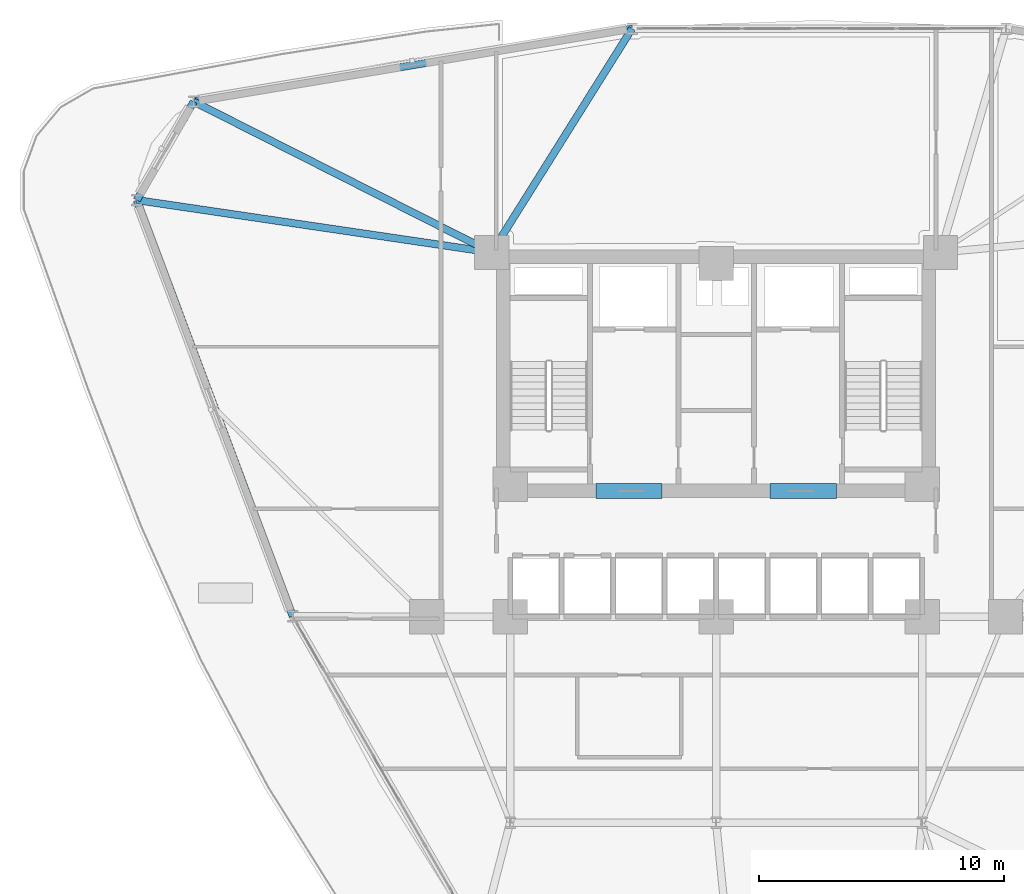
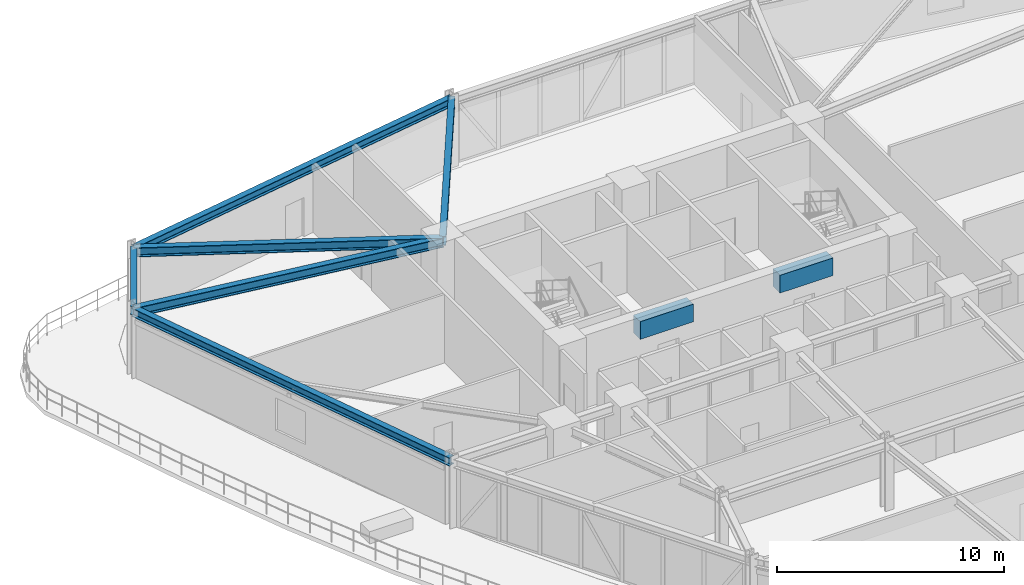
# One storey, part 9 of 21: 8 beams.
"""IFC4 building model written with IfcOpenShell, lengths in metres."""

from ifc_helpers import new_model, si_unit, derived_unit, direction, frame, origin, origin_2d, place, context, subcontext, project, spatial, rectangle, i_section, extrude, source, transform, mapped, material, material_profile, profile_set, type_object, element, save


model = new_model("IFC4")

# Units and contexts
model_context = context("Model", 3, precision=1e-05, world=origin(), true_north=direction((0.0, 1.0)))
body_context = subcontext(model_context, "Body", "Model", "MODEL_VIEW")
ifc_project = project(units=[si_unit("LENGTHUNIT", "METRE"), si_unit("AREAUNIT", "SQUARE_METRE"), si_unit("VOLUMEUNIT", "CUBIC_METRE"), si_unit("PLANEANGLEUNIT", "RADIAN"), si_unit("MASSUNIT", "GRAM", prefix="KILO"), derived_unit("THERMALTRANSMITTANCEUNIT", [(si_unit("POWERUNIT", "WATT"), 1), (si_unit("LENGTHUNIT", "METRE"), -2), (si_unit("THERMODYNAMICTEMPERATUREUNIT", "KELVIN"), -1)])], contexts=[model_context])

# Site, building, storey
site_placement = place(None, origin())
site = spatial("IfcSite", under=ifc_project, at=site_placement, CompositionType="ELEMENT")
building_placement = place(site_placement, origin())
building = spatial("IfcBuilding", under=site, at=building_placement, Name="Korsvarv Bourse and Concert Hall", CompositionType="ELEMENT")
storey_placement = place(building_placement, frame((0.0, 0.0, 63.89990234375)))
storey = spatial("IfcBuildingStorey", under=building, at=storey_placement, Name="L15", CompositionType="ELEMENT", Elevation=63.89990234375)

# Beams
ifc_material_1 = material(Name="Concrete C55/67", Category="concrete")
ifc_material_profile_1 = material_profile(ifc_material_1, rectangle(XDim=0.60009765625, YDim=0.949951171875, at=origin_2d()), Name="RC-BM 600x950")
ifc_profile_set_1 = profile_set([ifc_material_profile_1], Name="Concrete C55/67")
beam_type_1 = type_object("IfcBeamType", Name="BM-CPL", PredefinedType="LINTEL", material=ifc_profile_set_1)
shared_shape_1 = source(origin(), body_context, "Body", "SweptSolid", [
    extrude(rectangle(XDim=0.60009765625, YDim=0.949951171875, at=origin_2d()), origin(), (0.0, 0.0, 1.0), 2.699951171875),
])
for number, where, z_axis, x_axis, name in (
    (1, (31.10009765625, 37.52490234375, 3.205078125), (1.0, 0.0, 0.0), (0.0, 1.0, 0.0), "L15 Core Coupling Beam West"),
    (2, (38.199951171875, 37.52490234375, 3.205078125), (1.0, 0.0, 0.0), (0.0, 1.0, 0.0), "L15 Core Coupling Beam East"),
):
    element("IfcBeam", number, at=place(storey_placement, frame(where, z_axis=z_axis, x_axis=x_axis)), inside=storey, type_object=beam_type_1, Name=name, PredefinedType="LINTEL", context=body_context, shape_type="MappedRepresentation", body=[
        mapped(shared_shape_1, transform((0.0, 0.0, 0.0), scale=1.0)),
    ])
ifc_material_2 = material(Name="Steel S355", Category="steel")
ifc_material_profile_2 = material_profile(ifc_material_2, i_section(OverallWidth=0.300048828125, OverallDepth=0.449951171875, WebThickness=0.013916015625, FlangeThickness=0.02587890625, FilletRadius=0.02099609375, at=origin_2d()), Name="HEB 450")
ifc_profile_set_2 = profile_set([ifc_material_profile_2], Name="Steel S355")
beam_type_2 = type_object("IfcBeamType", Name="BM-HEB450", PredefinedType="SPANDREL", material=ifc_profile_set_2)
shared_shape_2 = source(origin(), body_context, "Body", "SweptSolid", [
    extrude(i_section(OverallWidth=0.300048828125, OverallDepth=0.449951171875, WebThickness=0.013916015625, FlangeThickness=0.02587890625, FilletRadius=0.02099609375, at=origin_2d()), origin(), (0.0, 0.0, 1.0), 4.637939453125),
])
beam_1_placement = place(storey_placement, frame((14.702392578125, 53.398681640625, 3.455078125), z_axis=(-0.50001710905, -0.866015525644, 0.0), x_axis=(0.866015525644, -0.50001710905, 0.0)))
element("IfcBeam", 3, at=beam_1_placement, inside=storey, type_object=beam_type_2, Name="L15 beam B-08", PredefinedType="SPANDREL", context=body_context, shape_type="MappedRepresentation", body=[
    mapped(shared_shape_2, transform((0.0, 0.0, 0.0), scale=1.0)),
])
shared_shape_3 = source(origin(), body_context, "Body", "SweptSolid", [
    extrude(i_section(OverallWidth=0.300048828125, OverallDepth=0.449951171875, WebThickness=0.013916015625, FlangeThickness=0.02587890625, FilletRadius=0.02099609375, at=origin_2d()), origin(), (0.0, 0.0, 1.0), 18.1171875),
])
for number, where, z_axis, x_axis, name in (
    (4, (32.5732421875, 56.376708984375, 3.455078125), (-0.986397929789, -0.164374949761, 0.0), (0.164374949761, -0.986397929789, 0.0), "L15 beam B-08"),
    (5, (12.38330078125, 49.382080078125, 3.455078125), (0.350850223085, -0.936431589045, 0.0), (0.936431589045, 0.350850223085, 0.0), "L15 beam B-08"),
):
    element("IfcBeam", number, at=place(storey_placement, frame(where, z_axis=z_axis, x_axis=x_axis)), inside=storey, type_object=beam_type_2, Name=name, PredefinedType="SPANDREL", context=body_context, shape_type="MappedRepresentation", body=[
        mapped(shared_shape_3, transform((0.0, 0.0, 0.0), scale=1.0)),
    ])
ifc_material_profile_3 = material_profile(ifc_material_2, i_section(OverallWidth=0.300048828125, OverallDepth=0.5, WebThickness=0.014404296875, FlangeThickness=0.028076171875, FilletRadius=0.02392578125, at=origin_2d()), Name="HEB 500")
ifc_profile_set_3 = profile_set([ifc_material_profile_3], Name="Steel S355")
beam_type_3 = type_object("IfcBeamType", Name="BM-HEB500", PredefinedType="BEAM", material=ifc_profile_set_3)
shared_shape_4 = source(origin(), body_context, "Body", "SweptSolid", [
    extrude(i_section(OverallWidth=0.300048828125, OverallDepth=0.5, WebThickness=0.014404296875, FlangeThickness=0.028076171875, FilletRadius=0.02392578125, at=origin_2d()), origin(), (0.0, 0.0, 1.0), 10.772705078125),
])
beam_2_placement = place(storey_placement, frame((32.5732421875, 56.376708984375, 3.43017578125), z_axis=(-0.531263397699, -0.847206705749, 0.0), x_axis=(0.847206705749, -0.531263397699, 0.0)))
element("IfcBeam", 6, at=beam_2_placement, inside=storey, type_object=beam_type_3, Name="L15 beam B-07", PredefinedType="BEAM", context=body_context, shape_type="MappedRepresentation", body=[
    mapped(shared_shape_4, transform((0.0, 0.0, 0.0), scale=1.0)),
])
shared_shape_5 = source(origin(), body_context, "Body", "SweptSolid", [
    extrude(i_section(OverallWidth=0.300048828125, OverallDepth=0.5, WebThickness=0.014404296875, FlangeThickness=0.028076171875, FilletRadius=0.02392578125, at=origin_2d()), origin(), (0.0, 0.0, 1.0), 13.615234375),
])
beam_3_placement = place(storey_placement, frame((14.702392578125, 53.398681640625, 3.43017578125), z_axis=(0.892217981347, -0.451604997493, 0.0), x_axis=(0.451604997493, 0.892217981347, 0.0)))
element("IfcBeam", 7, at=beam_3_placement, inside=storey, type_object=beam_type_3, Name="L15 beam B-07", PredefinedType="BEAM", context=body_context, shape_type="MappedRepresentation", body=[
    mapped(shared_shape_5, transform((0.0, 0.0, 0.0), scale=1.0)),
])
shared_shape_6 = source(origin(), body_context, "Body", "SweptSolid", [
    extrude(i_section(OverallWidth=0.300048828125, OverallDepth=0.5, WebThickness=0.014404296875, FlangeThickness=0.028076171875, FilletRadius=0.02392578125, at=origin_2d()), origin(), (0.0, 0.0, 1.0), 14.623046875),
])
beam_4_placement = place(storey_placement, frame((12.38330078125, 49.382080078125, 3.43017578125), z_axis=(0.989313708043, -0.145802561974, 0.0), x_axis=(0.145802561974, 0.989313708043, 0.0)))
element("IfcBeam", 8, at=beam_4_placement, inside=storey, type_object=beam_type_3, Name="L15 beam B-07", PredefinedType="BEAM", context=body_context, shape_type="MappedRepresentation", body=[
    mapped(shared_shape_6, transform((0.0, 0.0, 0.0), scale=1.0)),
])

save(model, "model.ifc")
